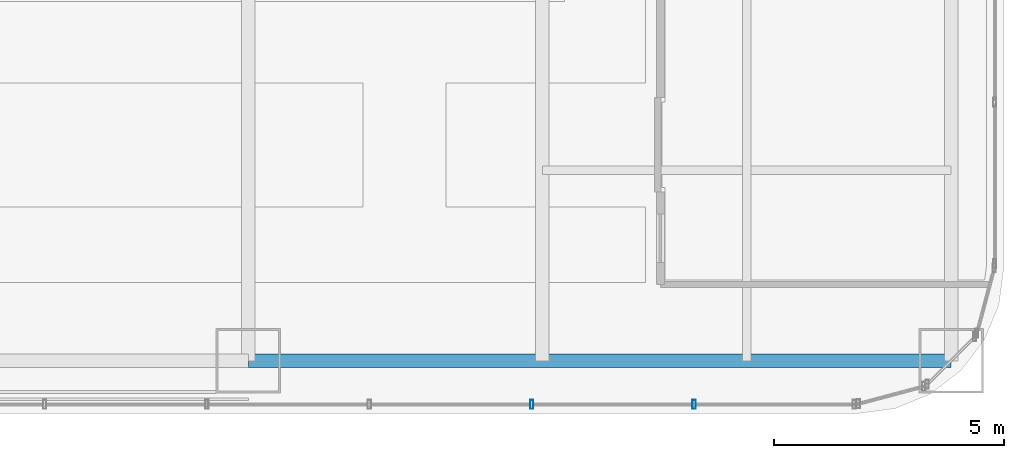
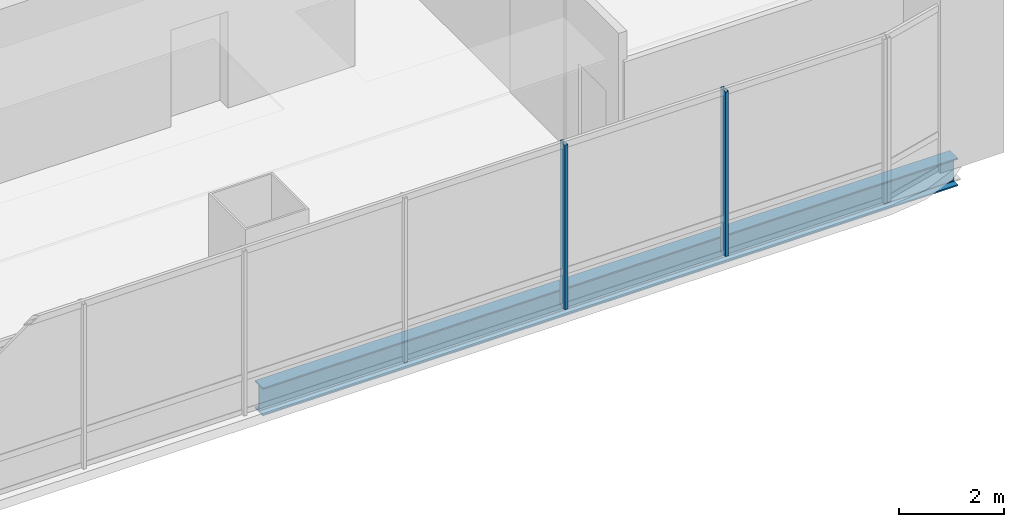
# One storey, part 14 of 38: 2 members, 1 beam, 1 element without a shape of its own.
"""IFC4 building model written with IfcOpenShell, lengths in metres."""

from ifc_helpers import new_model, si_unit, direction, frame, origin, origin_2d, place, context, subcontext, project, spatial, hollow_rectangle, i_section, extrude, material, material_profile, profile_set, type_object, element, aggregate, save


model = new_model("IFC4")

# Units and contexts
model_context = context("Model", 3, precision=1e-05, world=origin(), true_north=direction((0.0, 1.0)))
body_context = subcontext(model_context, "Body", "Model", "MODEL_VIEW")
ifc_project = project(units=[si_unit("LENGTHUNIT", "METRE"), si_unit("AREAUNIT", "SQUARE_METRE"), si_unit("VOLUMEUNIT", "CUBIC_METRE"), si_unit("PLANEANGLEUNIT", "RADIAN"), si_unit("MASSUNIT", "GRAM", prefix="KILO")], contexts=[model_context])

# Site, building, storey
site_placement = place(None, origin())
site = spatial("IfcSite", under=ifc_project, at=site_placement, CompositionType="ELEMENT")
building_placement = place(site_placement, origin())
building = spatial("IfcBuilding", under=site, at=building_placement, Name="Punatoya Terracotta Tower", CompositionType="ELEMENT")
storey_placement = place(building_placement, frame((0.0, 0.0, 151.949951171875)))
storey = spatial("IfcBuildingStorey", under=building, at=storey_placement, Name="L35", CompositionType="ELEMENT", Elevation=151.949951171875)

# Beam
ifc_material_1 = material(Name="Steel S355", Category="steel")
ifc_material_profile_1 = material_profile(ifc_material_1, i_section(OverallWidth=0.300048828125, OverallDepth=0.64990234375, WebThickness=0.01611328125, FlangeThickness=0.031005859375, FilletRadius=0.01806640625, at=origin_2d()))
ifc_profile_set_1 = profile_set([ifc_material_profile_1], Name="Steel S355")
beam_type = type_object("IfcBeamType", Name="BM-PRI-650", PredefinedType="BEAM", material=ifc_profile_set_1)
beam_placement = place(storey_placement, frame((3.800048828125, -17.5, -0.544921875), z_axis=(1.0, 0.0, 0.0), x_axis=(0.0, 1.0, 0.0)))
element("IfcBeam", 1, at=beam_placement, inside=storey, type_object=beam_type, Name="BM-L35-RG-S3", PredefinedType="BEAM", context=body_context, shape_type="SweptSolid", body=[
    extrude(i_section(OverallWidth=0.300048828125, OverallDepth=0.64990234375, WebThickness=0.01611328125, FlangeThickness=0.031005859375, FilletRadius=0.01806640625, at=origin_2d()), origin(), (0.0, 0.0, 1.0), 15.300048828125),
])

# Curtain wall, members
ifc_material_2 = material(Name="Aluminium 6063-T6 + Double Low-E Glass", Category="aluminium")
curtain_wall_type = type_object("IfcCurtainWallType", Name="CW-M2", PredefinedType="NOTDEFINED", material=ifc_material_2)
curtain_wall_placement = place(storey_placement, origin())
curtain_wall = element("IfcCurtainWall", 2, at=curtain_wall_placement, inside=storey, type_object=curtain_wall_type, Name="L35 Curtain Wall CW-L35-S01-1", PredefinedType="NOTDEFINED")
ifc_material_3 = material(Name="Aluminium 6063-T6", Category="aluminium")
ifc_material_profile_2 = material_profile(ifc_material_3, hollow_rectangle(XDim=0.072021484375, YDim=0.195068359375, WallThickness=0.00439453125, at=origin_2d()))
ifc_profile_set_2 = profile_set([ifc_material_profile_2], Name="Aluminium 6063-T6")
member_type = type_object("IfcMemberType", Name="CW-MUL-M2", PredefinedType="MULLION", material=ifc_profile_set_2)
member_1_placement = place(storey_placement, frame((9.968994140625, -18.449951171875, 0.0), z_axis=(0.0, 0.0, 1.0), x_axis=(1.0, 0.0, 0.0)))
member_1 = element("IfcMember", 3, at=member_1_placement, type_object=member_type, Name="CW-L35-S01-1 Mullion 09", PredefinedType="MULLION", context=body_context, shape_type="SweptSolid", body=[
    extrude(hollow_rectangle(XDim=0.072021484375, YDim=0.195068359375, WallThickness=0.00439453125, at=origin_2d()), origin(), (0.0, 0.0, 1.0), 3.830078125),
])
member_2_placement = place(storey_placement, frame((13.5029296875, -18.449951171875, 0.0), z_axis=(0.0, 0.0, 1.0), x_axis=(1.0, 0.0, 0.0)))
member_2 = element("IfcMember", 4, at=member_2_placement, type_object=member_type, Name="CW-L35-S01-1 Mullion 10", PredefinedType="MULLION", context=body_context, shape_type="SweptSolid", body=[
    extrude(hollow_rectangle(XDim=0.072021484375, YDim=0.195068359375, WallThickness=0.00439453125, at=origin_2d()), origin(), (0.0, 0.0, 1.0), 3.830078125),
])
aggregate(curtain_wall, [member_1, member_2])

save(model, "model.ifc")
